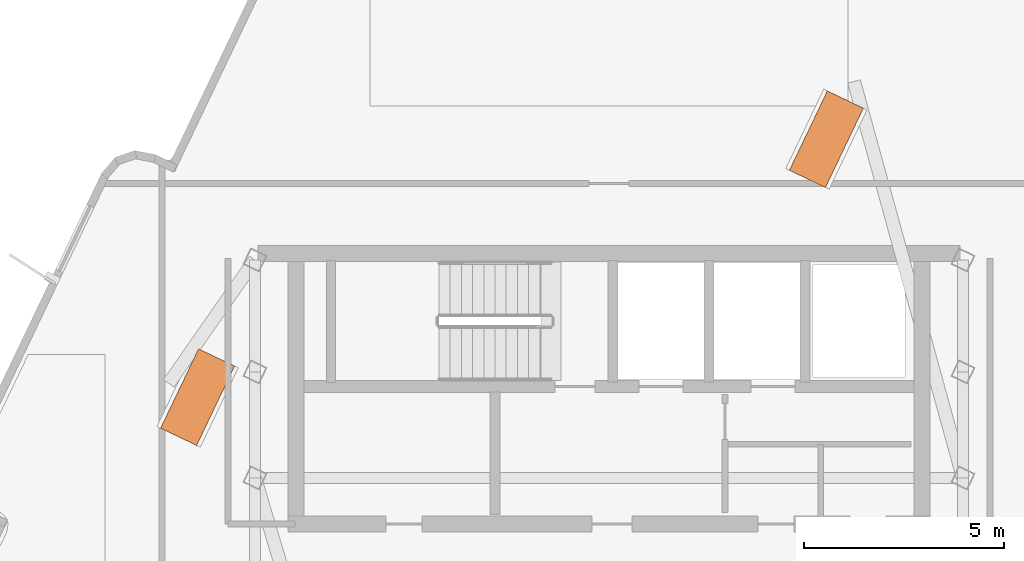
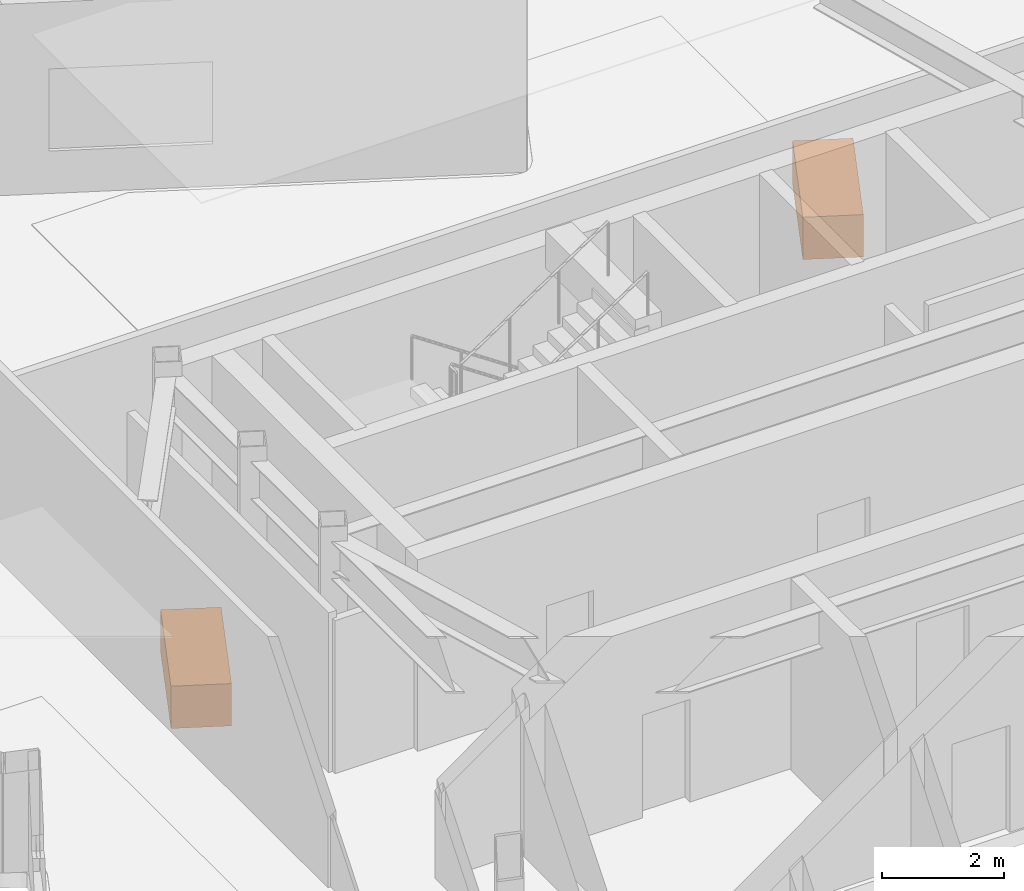
# One storey, part 8 of 8: 2 proxies.
"""IFC4 building model written with IfcOpenShell, lengths in metres."""

from ifc_helpers import new_model, si_unit, direction, frame, origin, origin_2d, place, context, subcontext, project, spatial, rectangle, extrude, material, type_object, element, save


model = new_model("IFC4")

# Units and contexts
model_context = context("Model", 3, precision=1e-05, world=origin(), true_north=direction((0.0, 1.0)))
body_context = subcontext(model_context, "Body", "Model", "MODEL_VIEW")
ifc_project = project(units=[si_unit("LENGTHUNIT", "METRE"), si_unit("AREAUNIT", "SQUARE_METRE"), si_unit("VOLUMEUNIT", "CUBIC_METRE"), si_unit("PLANEANGLEUNIT", "RADIAN"), si_unit("MASSUNIT", "GRAM", prefix="KILO")], contexts=[model_context])

# Site, building, storey
site_placement = place(None, origin())
site = spatial("IfcSite", under=ifc_project, at=site_placement, CompositionType="ELEMENT")
building_placement = place(site_placement, origin())
building = spatial("IfcBuilding", under=site, at=building_placement, Name="Solmarez Civic Tower", CompositionType="ELEMENT")
storey_placement = place(building_placement, frame((0.0, 0.0, 293.39990234375)))
storey = spatial("IfcBuildingStorey", under=building, at=storey_placement, Name="L79 Crown", CompositionType="ELEMENT", Elevation=293.39990234375)

# Proxies
ifc_material = material(Name="Precast concrete C40/50", Category="concrete")
building_element_proxy_type = type_object("IfcBuildingElementProxyType", Name="PROXY-PLANTER-RC", PredefinedType="USERDEFINED", material=ifc_material)
for number, where, z_axis, x_axis, name in (
    (1, (5.43603515625, 11.366943359375, 0.0), (0.0, 0.0, 1.0), (0.431456045681, 0.902133959368, 0.0), "L79 Crown Conservatory Structural Planter 1"),
    (2, (-10.283935546875, 4.9189453125, 0.0), (0.0, 0.0, 1.0), (0.431456045681, 0.902133959368, 0.0), "L79 Crown Conservatory Structural Planter 2"),
):
    element("IfcBuildingElementProxy", number, at=place(storey_placement, frame(where, z_axis=z_axis, x_axis=x_axis)), inside=storey, type_object=building_element_proxy_type, Name=name, ObjectType="PLANTER", PredefinedType="USERDEFINED", context=body_context, shape_type="SweptSolid", body=[
        extrude(rectangle(XDim=2.199951171875, YDim=1.0, at=origin_2d()), origin(), (0.0, 0.0, 1.0), 0.85009765625),
    ])

save(model, "model.ifc")
